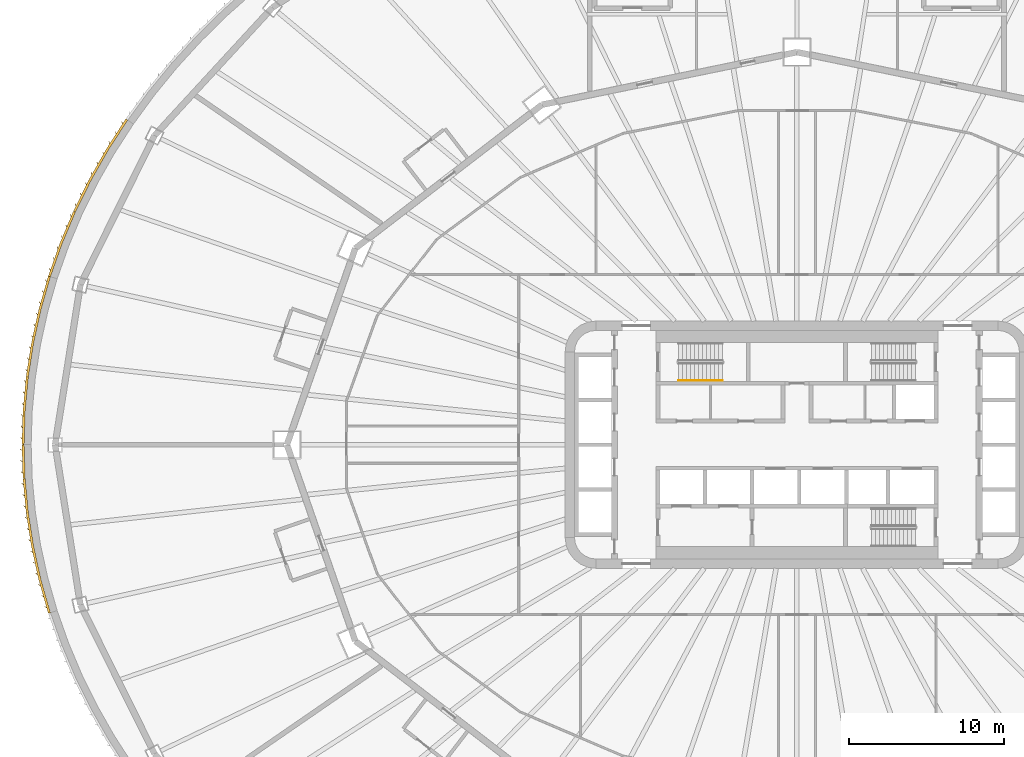
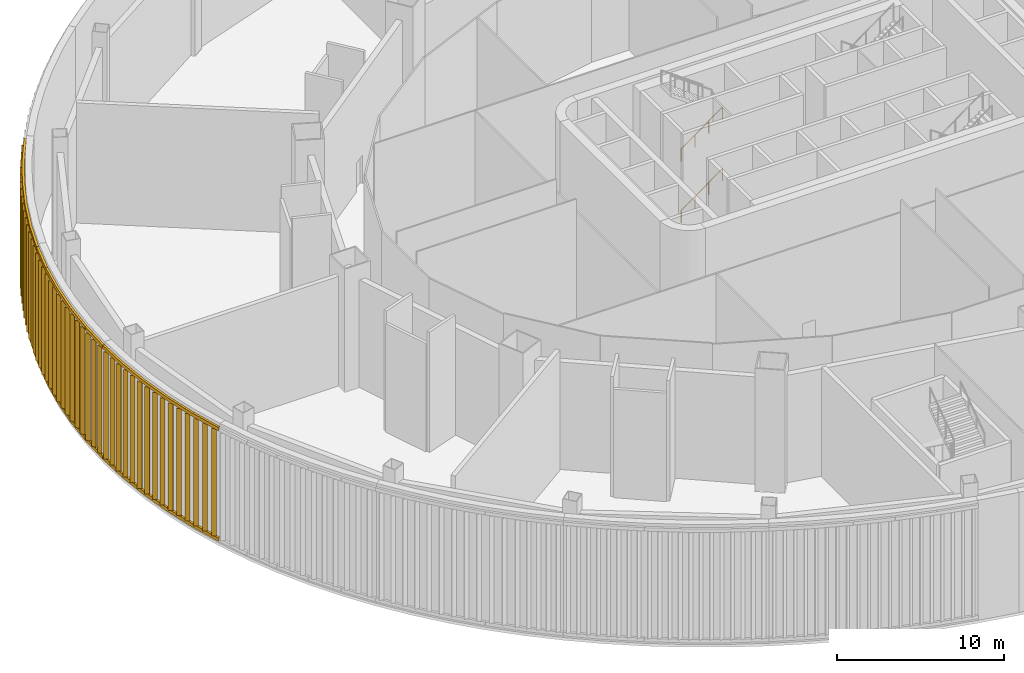
# One storey, part 29 of 35: 3 shading devices, 2 railings.
"""IFC4 building model written with IfcOpenShell, lengths in metres."""

from ifc_helpers import new_model, si_unit, direction, frame, origin, origin_2d, place, context, subcontext, project, spatial, rectangle, circle, extrude, material, type_object, element, save


model = new_model("IFC4")

# Units and contexts
model_context = context("Model", 3, precision=1e-05, world=origin(), true_north=direction((0.0, 1.0)))
body_context = subcontext(model_context, "Body", "Model", "MODEL_VIEW")
ifc_project = project(units=[si_unit("LENGTHUNIT", "METRE"), si_unit("AREAUNIT", "SQUARE_METRE"), si_unit("VOLUMEUNIT", "CUBIC_METRE"), si_unit("PLANEANGLEUNIT", "RADIAN"), si_unit("MASSUNIT", "GRAM", prefix="KILO")], contexts=[model_context])

# Site, building, storey
site_placement = place(None, origin())
site = spatial("IfcSite", under=ifc_project, at=site_placement, CompositionType="ELEMENT")
building_placement = place(site_placement, origin())
building = spatial("IfcBuilding", under=site, at=building_placement, Name="Sahrelin Media Tower", CompositionType="ELEMENT")
storey_placement = place(building_placement, frame((0.0, 0.0, 8.0)))
storey = spatial("IfcBuildingStorey", under=building, at=storey_placement, Name="L01", CompositionType="ELEMENT", Elevation=8.0)

# Railings
ifc_material_1 = material(Name="Steel S355", Category="steel")
railing_type = type_object("IfcRailingType", Name="Stair handrail 900", PredefinedType="HANDRAIL", material=ifc_material_1)
for number, where, name in (
    (1, (-7.675048828125, 4.14990234375, 0.1875), "L01 ST1 stair handrail 1"),
    (2, (-7.675048828125, 4.14990234375, 4.6875), "L01 ST1 stair handrail 3"),
):
    element("IfcRailing", number, at=place(storey_placement, frame(where)), inside=storey, type_object=railing_type, Name=name, PredefinedType="HANDRAIL", context=body_context, shape_type="SweptSolid", body=[
        extrude(circle(Radius=0.02392578125, at=origin_2d()), frame((0.0, 0.0, 0.8759765625), z_axis=(0.811100754333, 0.0, 0.584906459462), x_axis=(0.0, 1.0, 0.0)), (0.0, 0.0, 1.0), 3.526123046875),
        extrude(circle(Radius=0.02099609375, at=origin_2d()), origin(), (0.0, 0.0, 1.0), 0.851806640625),
        extrude(circle(Radius=0.02099609375, at=origin_2d()), frame((0.953369140625, 0.0, 0.6875)), (0.0, 0.0, 1.0), 0.851806640625),
        extrude(circle(Radius=0.02099609375, at=origin_2d()), frame((1.90673828125, 0.0, 1.375)), (0.0, 0.0, 1.0), 0.851806640625),
        extrude(circle(Radius=0.02099609375, at=origin_2d()), frame((2.860107421875, 0.0, 2.0625)), (0.0, 0.0, 1.0), 0.851806640625),
    ])

# Shading devices
ifc_material_2 = material(Name="Champagne anodised aluminium 6063-T6", Category="aluminium")
shading_device_type = type_object("IfcShadingDeviceType", Name="Studio facade screen", PredefinedType="USERDEFINED", material=ifc_material_2)
shading_device_1_placement = place(storey_placement, frame((-43.30126953125, 21.0, 0.0), z_axis=(0.0, 0.0, 1.0), x_axis=(0.44228697484, 0.896873587462, 0.0)))
element("IfcShadingDevice", 3, at=shading_device_1_placement, inside=storey, type_object=shading_device_type, Name="L01:SCREEN:L01-P10", ObjectType="SCREEN", PredefinedType="USERDEFINED", context=body_context, shape_type="SweptSolid", body=[
    extrude(rectangle(XDim=0.14990234375, YDim=0.25, at=origin_2d()), frame((0.0087890625, 0.074462890625, 0.35009765625), z_axis=(-0.993314738525, 0.115437559871, 0.0), x_axis=(-0.115437559871, -0.993314738525, 0.0)), (0.0, 0.0, 1.0), 2.301025390625),
    extrude(rectangle(XDim=0.14990234375, YDim=0.25, at=origin_2d()), frame((0.0087890625, 0.074462890625, 8.449951171875), z_axis=(-0.993314738525, 0.115437559871, 0.0), x_axis=(-0.115437559871, -0.993314738525, 0.0)), (0.0, 0.0, 1.0), 2.301025390625),
    extrude(rectangle(XDim=0.300048828125, YDim=0.0400390625, at=origin_2d()), frame((-0.363525390625, 0.193359375, 0.47509765625), z_axis=(0.0, 0.0, 1.0), x_axis=(0.707106781187, 0.707106781187, 0.0)), (0.0, 0.0, 1.0), 7.849853515625),
    extrude(rectangle(XDim=0.300048828125, YDim=0.0400390625, at=origin_2d()), frame((-1.12548828125, 0.28173828125, 0.47509765625), z_axis=(0.0, 0.0, 1.0), x_axis=(0.707106781187, 0.707106781187, 0.0)), (0.0, 0.0, 1.0), 7.849853515625),
    extrude(rectangle(XDim=0.300048828125, YDim=0.0400390625, at=origin_2d()), frame((-1.88720703125, 0.370361328125, 0.47509765625), z_axis=(0.0, 0.0, 1.0), x_axis=(0.707106781187, 0.707106781187, 0.0)), (0.0, 0.0, 1.0), 7.849853515625),
    extrude(rectangle(XDim=0.14990234375, YDim=0.25, at=origin_2d()), frame((-2.28125, 0.340576171875, 0.35009765625), z_axis=(-0.998305220506, 0.058195246459, 0.0), x_axis=(-0.058195246459, -0.998305220506, 0.0)), (0.0, 0.0, 1.0), 2.2822265625),
    extrude(rectangle(XDim=0.14990234375, YDim=0.25, at=origin_2d()), frame((-2.28125, 0.340576171875, 8.449951171875), z_axis=(-0.998305220506, 0.058195246459, 0.0), x_axis=(-0.058195246459, -0.998305220506, 0.0)), (0.0, 0.0, 1.0), 2.2822265625),
    extrude(rectangle(XDim=0.300048828125, YDim=0.0400390625, at=origin_2d()), frame((-2.656494140625, 0.4375, 0.47509765625), z_axis=(0.0, 0.0, 1.0), x_axis=(0.707106781187, 0.707106781187, 0.0)), (0.0, 0.0, 1.0), 7.849853515625),
    extrude(rectangle(XDim=0.300048828125, YDim=0.0400390625, at=origin_2d()), frame((-3.416015625, 0.481689453125, 0.47509765625), z_axis=(0.0, 0.0, 1.0), x_axis=(0.707106781187, 0.707106781187, 0.0)), (0.0, 0.0, 1.0), 7.849853515625),
    extrude(rectangle(XDim=0.300048828125, YDim=0.0400390625, at=origin_2d()), frame((-4.175537109375, 0.526123046875, 0.47509765625), z_axis=(0.0, 0.0, 1.0), x_axis=(0.707106781187, 0.707106781187, 0.0)), (0.0, 0.0, 1.0), 7.849853515625),
    extrude(rectangle(XDim=0.14990234375, YDim=0.25, at=origin_2d()), frame((-4.56396484375, 0.4736328125, 0.35009765625), z_axis=(-1.0, 0.0, 0.0), x_axis=(0.0, -1.0, 0.0)), (0.0, 0.0, 1.0), 2.26513671875),
    extrude(rectangle(XDim=0.14990234375, YDim=0.25, at=origin_2d()), frame((-4.56396484375, 0.4736328125, 8.449951171875), z_axis=(-1.0, 0.0, 0.0), x_axis=(0.0, -1.0, 0.0)), (0.0, 0.0, 1.0), 2.26513671875),
    extrude(rectangle(XDim=0.300048828125, YDim=0.0400390625, at=origin_2d()), frame((-4.94140625, 0.548583984375, 0.47509765625), z_axis=(0.0, 0.0, 1.0), x_axis=(0.707106781187, 0.707106781187, 0.0)), (0.0, 0.0, 1.0), 7.849853515625),
    extrude(rectangle(XDim=0.300048828125, YDim=0.0400390625, at=origin_2d()), frame((-5.696533203125, 0.548583984375, 0.47509765625), z_axis=(0.0, 0.0, 1.0), x_axis=(0.707106781187, 0.707106781187, 0.0)), (0.0, 0.0, 1.0), 7.849853515625),
    extrude(rectangle(XDim=0.300048828125, YDim=0.0400390625, at=origin_2d()), frame((-6.451416015625, 0.548583984375, 0.47509765625), z_axis=(0.0, 0.0, 1.0), x_axis=(0.707106781187, 0.707106781187, 0.0)), (0.0, 0.0, 1.0), 7.849853515625),
    extrude(rectangle(XDim=0.14990234375, YDim=0.25, at=origin_2d()), frame((-6.83349609375, 0.473388671875, 0.35009765625), z_axis=(-0.998255232119, -0.059046520199, 0.0), x_axis=(0.059046520199, -0.998255232119, 0.0)), (0.0, 0.0, 1.0), 2.249267578125),
    extrude(rectangle(XDim=0.14990234375, YDim=0.25, at=origin_2d()), frame((-6.83349609375, 0.473388671875, 8.449951171875), z_axis=(-0.998255232119, -0.059046520199, 0.0), x_axis=(0.059046520199, -0.998255232119, 0.0)), (0.0, 0.0, 1.0), 2.249267578125),
    extrude(rectangle(XDim=0.300048828125, YDim=0.0400390625, at=origin_2d()), frame((-7.212158203125, 0.526123046875, 0.47509765625), z_axis=(0.0, 0.0, 1.0), x_axis=(0.707106781187, 0.707106781187, 0.0)), (0.0, 0.0, 1.0), 7.849853515625),
    extrude(rectangle(XDim=0.300048828125, YDim=0.0400390625, at=origin_2d()), frame((-7.960693359375, 0.481689453125, 0.47509765625), z_axis=(0.0, 0.0, 1.0), x_axis=(0.707106781187, 0.707106781187, 0.0)), (0.0, 0.0, 1.0), 7.849853515625),
    extrude(rectangle(XDim=0.300048828125, YDim=0.0400390625, at=origin_2d()), frame((-8.708984375, 0.4375, 0.47509765625), z_axis=(0.0, 0.0, 1.0), x_axis=(0.707106781187, 0.707106781187, 0.0)), (0.0, 0.0, 1.0), 7.849853515625),
    extrude(rectangle(XDim=0.14990234375, YDim=0.25, at=origin_2d()), frame((-9.08349609375, 0.340087890625, 0.35009765625), z_axis=(-0.992914515953, -0.118830820961, 0.0), x_axis=(0.118830820961, -0.992914515953, 0.0)), (0.0, 0.0, 1.0), 2.2353515625),
    extrude(rectangle(XDim=0.14990234375, YDim=0.25, at=origin_2d()), frame((-9.08349609375, 0.340087890625, 8.449951171875), z_axis=(-0.992914515953, -0.118830820961, 0.0), x_axis=(0.118830820961, -0.992914515953, 0.0)), (0.0, 0.0, 1.0), 2.2353515625),
    extrude(rectangle(XDim=0.300048828125, YDim=0.0400390625, at=origin_2d()), frame((-9.462158203125, 0.370361328125, 0.47509765625), z_axis=(0.0, 0.0, 1.0), x_axis=(0.707106781187, 0.707106781187, 0.0)), (0.0, 0.0, 1.0), 7.849853515625),
    extrude(rectangle(XDim=0.300048828125, YDim=0.0400390625, at=origin_2d()), frame((-10.2021484375, 0.28173828125, 0.47509765625), z_axis=(0.0, 0.0, 1.0), x_axis=(0.707106781187, 0.707106781187, 0.0)), (0.0, 0.0, 1.0), 7.849853515625),
    extrude(rectangle(XDim=0.300048828125, YDim=0.0400390625, at=origin_2d()), frame((-10.942138671875, 0.193115234375, 0.47509765625), z_axis=(0.0, 0.0, 1.0), x_axis=(0.707106781187, 0.707106781187, 0.0)), (0.0, 0.0, 1.0), 7.849853515625),
])
shading_device_2_placement = place(storey_placement, frame((-48.29638671875, 10.870361328125, 0.0), z_axis=(0.0, 0.0, 1.0), x_axis=(0.154807009046, 0.98794473021, 0.0)))
element("IfcShadingDevice", 4, at=shading_device_2_placement, inside=storey, type_object=shading_device_type, Name="L01:SCREEN:L01-P11", ObjectType="SCREEN", PredefinedType="USERDEFINED", context=body_context, shape_type="SweptSolid", body=[
    extrude(rectangle(XDim=0.14990234375, YDim=0.25, at=origin_2d()), frame((0.00927734375, 0.074462890625, 0.35009765625), z_axis=(-0.992452536992, 0.122629367679, 0.0), x_axis=(-0.122629367679, -0.992452536992, 0.0)), (0.0, 0.0, 1.0), 2.223876953125),
    extrude(rectangle(XDim=0.14990234375, YDim=0.25, at=origin_2d()), frame((0.00927734375, 0.074462890625, 8.449951171875), z_axis=(-0.992452536992, 0.122629367679, 0.0), x_axis=(-0.122629367679, -0.992452536992, 0.0)), (0.0, 0.0, 1.0), 2.223876953125),
    extrude(rectangle(XDim=0.300048828125, YDim=0.0400390625, at=origin_2d()), frame((-0.349365234375, 0.1943359375, 0.47509765625), z_axis=(0.0, 0.0, 1.0), x_axis=(0.707106781187, 0.707106781187, 0.0)), (0.0, 0.0, 1.0), 7.849853515625),
    extrude(rectangle(XDim=0.300048828125, YDim=0.0400390625, at=origin_2d()), frame((-1.085205078125, 0.28515625, 0.47509765625), z_axis=(0.0, 0.0, 1.0), x_axis=(0.707106781187, 0.707106781187, 0.0)), (0.0, 0.0, 1.0), 7.849853515625),
    extrude(rectangle(XDim=0.300048828125, YDim=0.0400390625, at=origin_2d()), frame((-1.82080078125, 0.376220703125, 0.47509765625), z_axis=(0.0, 0.0, 1.0), x_axis=(0.707106781187, 0.707106781187, 0.0)), (0.0, 0.0, 1.0), 7.849853515625),
    extrude(rectangle(XDim=0.14990234375, YDim=0.25, at=origin_2d()), frame((-2.202392578125, 0.347412109375, 0.35009765625), z_axis=(-0.998098220265, 0.061643675299, 0.0), x_axis=(-0.061643675299, -0.998098220265, 0.0)), (0.0, 0.0, 1.0), 2.2138671875),
    extrude(rectangle(XDim=0.14990234375, YDim=0.25, at=origin_2d()), frame((-2.202392578125, 0.347412109375, 8.449951171875), z_axis=(-0.998098220265, 0.061643675299, 0.0), x_axis=(-0.061643675299, -0.998098220265, 0.0)), (0.0, 0.0, 1.0), 2.2138671875),
    extrude(rectangle(XDim=0.300048828125, YDim=0.0400390625, at=origin_2d()), frame((-2.56591796875, 0.445068359375, 0.47509765625), z_axis=(0.0, 0.0, 1.0), x_axis=(0.707106781187, 0.707106781187, 0.0)), (0.0, 0.0, 1.0), 7.849853515625),
    extrude(rectangle(XDim=0.300048828125, YDim=0.0400390625, at=origin_2d()), frame((-3.302490234375, 0.490478515625, 0.47509765625), z_axis=(0.0, 0.0, 1.0), x_axis=(0.707106781187, 0.707106781187, 0.0)), (0.0, 0.0, 1.0), 7.849853515625),
    extrude(rectangle(XDim=0.300048828125, YDim=0.0400390625, at=origin_2d()), frame((-4.039306640625, 0.5361328125, 0.47509765625), z_axis=(0.0, 0.0, 1.0), x_axis=(0.707106781187, 0.707106781187, 0.0)), (0.0, 0.0, 1.0), 7.849853515625),
    extrude(rectangle(XDim=0.14990234375, YDim=0.25, at=origin_2d()), frame((-4.416748046875, 0.484130859375, 0.35009765625), z_axis=(-1.0, 0.0, 0.0), x_axis=(0.0, -1.0, 0.0)), (0.0, 0.0, 1.0), 2.20654296875),
    extrude(rectangle(XDim=0.14990234375, YDim=0.25, at=origin_2d()), frame((-4.416748046875, 0.484130859375, 8.449951171875), z_axis=(-1.0, 0.0, 0.0), x_axis=(0.0, -1.0, 0.0)), (0.0, 0.0, 1.0), 2.20654296875),
    extrude(rectangle(XDim=0.300048828125, YDim=0.0400390625, at=origin_2d()), frame((-4.78466796875, 0.55908203125, 0.47509765625), z_axis=(0.0, 0.0, 1.0), x_axis=(0.707106781187, 0.707106781187, 0.0)), (0.0, 0.0, 1.0), 7.849853515625),
    extrude(rectangle(XDim=0.300048828125, YDim=0.0400390625, at=origin_2d()), frame((-5.52001953125, 0.55908203125, 0.47509765625), z_axis=(0.0, 0.0, 1.0), x_axis=(0.707106781187, 0.707106781187, 0.0)), (0.0, 0.0, 1.0), 7.849853515625),
    extrude(rectangle(XDim=0.300048828125, YDim=0.0400390625, at=origin_2d()), frame((-6.255615234375, 0.55908203125, 0.47509765625), z_axis=(0.0, 0.0, 1.0), x_axis=(0.707106781187, 0.707106781187, 0.0)), (0.0, 0.0, 1.0), 7.849853515625),
    extrude(rectangle(XDim=0.14990234375, YDim=0.25, at=origin_2d()), frame((-6.628173828125, 0.48388671875, 0.35009765625), z_axis=(-0.998077094115, -0.061984790091, 0.0), x_axis=(0.061984790091, -0.998077094115, 0.0)), (0.0, 0.0, 1.0), 2.20166015625),
    extrude(rectangle(XDim=0.14990234375, YDim=0.25, at=origin_2d()), frame((-6.628173828125, 0.48388671875, 8.449951171875), z_axis=(-0.998077094115, -0.061984790091, 0.0), x_axis=(0.061984790091, -0.998077094115, 0.0)), (0.0, 0.0, 1.0), 2.20166015625),
    extrude(rectangle(XDim=0.300048828125, YDim=0.0400390625, at=origin_2d()), frame((-6.9990234375, 0.5361328125, 0.47509765625), z_axis=(0.0, 0.0, 1.0), x_axis=(0.707106781187, 0.707106781187, 0.0)), (0.0, 0.0, 1.0), 7.849853515625),
    extrude(rectangle(XDim=0.300048828125, YDim=0.0400390625, at=origin_2d()), frame((-7.7314453125, 0.490478515625, 0.47509765625), z_axis=(0.0, 0.0, 1.0), x_axis=(0.707106781187, 0.707106781187, 0.0)), (0.0, 0.0, 1.0), 7.849853515625),
    extrude(rectangle(XDim=0.300048828125, YDim=0.0400390625, at=origin_2d()), frame((-8.464111328125, 0.445068359375, 0.47509765625), z_axis=(0.0, 0.0, 1.0), x_axis=(0.707106781187, 0.707106781187, 0.0)), (0.0, 0.0, 1.0), 7.849853515625),
    extrude(rectangle(XDim=0.14990234375, YDim=0.25, at=origin_2d()), frame((-8.830078125, 0.34716796875, 0.35009765625), z_axis=(-0.992282999223, -0.123993747638, 0.0), x_axis=(0.123993747638, -0.992282999223, 0.0)), (0.0, 0.0, 1.0), 2.199462890625),
    extrude(rectangle(XDim=0.14990234375, YDim=0.25, at=origin_2d()), frame((-8.830078125, 0.34716796875, 8.449951171875), z_axis=(-0.992282999223, -0.123993747638, 0.0), x_axis=(0.123993747638, -0.992282999223, 0.0)), (0.0, 0.0, 1.0), 2.199462890625),
    extrude(rectangle(XDim=0.300048828125, YDim=0.0400390625, at=origin_2d()), frame((-9.203125, 0.376220703125, 0.47509765625), z_axis=(0.0, 0.0, 1.0), x_axis=(0.707106781187, 0.707106781187, 0.0)), (0.0, 0.0, 1.0), 7.849853515625),
    extrude(rectangle(XDim=0.300048828125, YDim=0.0400390625, at=origin_2d()), frame((-9.9306640625, 0.28515625, 0.47509765625), z_axis=(0.0, 0.0, 1.0), x_axis=(0.707106781187, 0.707106781187, 0.0)), (0.0, 0.0, 1.0), 7.849853515625),
    extrude(rectangle(XDim=0.300048828125, YDim=0.0400390625, at=origin_2d()), frame((-10.657958984375, 0.1943359375, 0.47509765625), z_axis=(0.0, 0.0, 1.0), x_axis=(0.707106781187, 0.707106781187, 0.0)), (0.0, 0.0, 1.0), 7.849853515625),
])
shading_device_3_placement = place(storey_placement, frame((-50.0, 0.0, 0.0), z_axis=(0.0, 0.0, 1.0), x_axis=(-0.154807009046, 0.98794473021, 0.0)))
element("IfcShadingDevice", 5, at=shading_device_3_placement, inside=storey, type_object=shading_device_type, Name="L01:SCREEN:L01-P12", ObjectType="SCREEN", PredefinedType="USERDEFINED", context=body_context, shape_type="SweptSolid", body=[
    extrude(rectangle(XDim=0.14990234375, YDim=0.25, at=origin_2d()), frame((0.00927734375, 0.074462890625, 0.35009765625), z_axis=(-0.992281292284, 0.124007406968, 0.0), x_axis=(-0.124007406968, -0.992281292284, 0.0)), (0.0, 0.0, 1.0), 2.19921875),
    extrude(rectangle(XDim=0.14990234375, YDim=0.25, at=origin_2d()), frame((0.00927734375, 0.074462890625, 8.449951171875), z_axis=(-0.992281292284, 0.124007406968, 0.0), x_axis=(-0.124007406968, -0.992281292284, 0.0)), (0.0, 0.0, 1.0), 2.19921875),
    extrude(rectangle(XDim=0.300048828125, YDim=0.0400390625, at=origin_2d()), frame((-0.34521484375, 0.1943359375, 0.47509765625), z_axis=(0.0, 0.0, 1.0), x_axis=(0.707106781187, 0.707106781187, 0.0)), (0.0, 0.0, 1.0), 7.849853515625),
    extrude(rectangle(XDim=0.300048828125, YDim=0.0400390625, at=origin_2d()), frame((-1.072509765625, 0.28515625, 0.47509765625), z_axis=(0.0, 0.0, 1.0), x_axis=(0.707106781187, 0.707106781187, 0.0)), (0.0, 0.0, 1.0), 7.849853515625),
    extrude(rectangle(XDim=0.300048828125, YDim=0.0400390625, at=origin_2d()), frame((-1.7998046875, 0.376220703125, 0.47509765625), z_axis=(0.0, 0.0, 1.0), x_axis=(0.707106781187, 0.707106781187, 0.0)), (0.0, 0.0, 1.0), 7.849853515625),
    extrude(rectangle(XDim=0.14990234375, YDim=0.25, at=origin_2d()), frame((-2.177490234375, 0.347412109375, 0.35009765625), z_axis=(-0.998077094115, 0.061984790091, 0.0), x_axis=(-0.061984790091, -0.998077094115, 0.0)), (0.0, 0.0, 1.0), 2.20166015625),
    extrude(rectangle(XDim=0.14990234375, YDim=0.25, at=origin_2d()), frame((-2.177490234375, 0.347412109375, 8.449951171875), z_axis=(-0.998077094115, 0.061984790091, 0.0), x_axis=(-0.061984790091, -0.998077094115, 0.0)), (0.0, 0.0, 1.0), 2.20166015625),
    extrude(rectangle(XDim=0.300048828125, YDim=0.0400390625, at=origin_2d()), frame((-2.5390625, 0.445068359375, 0.47509765625), z_axis=(0.0, 0.0, 1.0), x_axis=(0.707106781187, 0.707106781187, 0.0)), (0.0, 0.0, 1.0), 7.849853515625),
    extrude(rectangle(XDim=0.300048828125, YDim=0.0400390625, at=origin_2d()), frame((-3.271484375, 0.490478515625, 0.47509765625), z_axis=(0.0, 0.0, 1.0), x_axis=(0.707106781187, 0.707106781187, 0.0)), (0.0, 0.0, 1.0), 7.849853515625),
    extrude(rectangle(XDim=0.300048828125, YDim=0.0400390625, at=origin_2d()), frame((-4.004150390625, 0.5361328125, 0.47509765625), z_axis=(0.0, 0.0, 1.0), x_axis=(0.707106781187, 0.707106781187, 0.0)), (0.0, 0.0, 1.0), 7.849853515625),
    extrude(rectangle(XDim=0.14990234375, YDim=0.25, at=origin_2d()), frame((-4.379638671875, 0.484130859375, 0.35009765625), z_axis=(-1.0, 0.0, 0.0), x_axis=(0.0, -1.0, 0.0)), (0.0, 0.0, 1.0), 2.20654296875),
    extrude(rectangle(XDim=0.14990234375, YDim=0.25, at=origin_2d()), frame((-4.379638671875, 0.484130859375, 8.449951171875), z_axis=(-1.0, 0.0, 0.0), x_axis=(0.0, -1.0, 0.0)), (0.0, 0.0, 1.0), 2.20654296875),
    extrude(rectangle(XDim=0.300048828125, YDim=0.0400390625, at=origin_2d()), frame((-4.747314453125, 0.55908203125, 0.47509765625), z_axis=(0.0, 0.0, 1.0), x_axis=(0.707106781187, 0.707106781187, 0.0)), (0.0, 0.0, 1.0), 7.849853515625),
    extrude(rectangle(XDim=0.300048828125, YDim=0.0400390625, at=origin_2d()), frame((-5.48291015625, 0.55908203125, 0.47509765625), z_axis=(0.0, 0.0, 1.0), x_axis=(0.707106781187, 0.707106781187, 0.0)), (0.0, 0.0, 1.0), 7.849853515625),
    extrude(rectangle(XDim=0.300048828125, YDim=0.0400390625, at=origin_2d()), frame((-6.218505859375, 0.55908203125, 0.47509765625), z_axis=(0.0, 0.0, 1.0), x_axis=(0.707106781187, 0.707106781187, 0.0)), (0.0, 0.0, 1.0), 7.849853515625),
    extrude(rectangle(XDim=0.14990234375, YDim=0.25, at=origin_2d()), frame((-6.5908203125, 0.48388671875, 0.35009765625), z_axis=(-0.998098639234, -0.061636891221, 0.0), x_axis=(0.061636891221, -0.998098639234, 0.0)), (0.0, 0.0, 1.0), 2.214111328125),
    extrude(rectangle(XDim=0.14990234375, YDim=0.25, at=origin_2d()), frame((-6.5908203125, 0.48388671875, 8.449951171875), z_axis=(-0.998098639234, -0.061636891221, 0.0), x_axis=(0.061636891221, -0.998098639234, 0.0)), (0.0, 0.0, 1.0), 2.214111328125),
    extrude(rectangle(XDim=0.300048828125, YDim=0.0400390625, at=origin_2d()), frame((-6.9638671875, 0.5361328125, 0.47509765625), z_axis=(0.0, 0.0, 1.0), x_axis=(0.707106781187, 0.707106781187, 0.0)), (0.0, 0.0, 1.0), 7.849853515625),
    extrude(rectangle(XDim=0.300048828125, YDim=0.0400390625, at=origin_2d()), frame((-7.700439453125, 0.490478515625, 0.47509765625), z_axis=(0.0, 0.0, 1.0), x_axis=(0.707106781187, 0.707106781187, 0.0)), (0.0, 0.0, 1.0), 7.849853515625),
    extrude(rectangle(XDim=0.300048828125, YDim=0.0400390625, at=origin_2d()), frame((-8.43701171875, 0.445068359375, 0.47509765625), z_axis=(0.0, 0.0, 1.0), x_axis=(0.707106781187, 0.707106781187, 0.0)), (0.0, 0.0, 1.0), 7.849853515625),
    extrude(rectangle(XDim=0.14990234375, YDim=0.25, at=origin_2d()), frame((-8.805419921875, 0.34716796875, 0.35009765625), z_axis=(-0.992450885786, -0.122642730327, 0.0), x_axis=(0.122642730327, -0.992450885786, 0.0)), (0.0, 0.0, 1.0), 2.2236328125),
    extrude(rectangle(XDim=0.14990234375, YDim=0.25, at=origin_2d()), frame((-8.805419921875, 0.34716796875, 8.449951171875), z_axis=(-0.992450885786, -0.122642730327, 0.0), x_axis=(0.122642730327, -0.992450885786, 0.0)), (0.0, 0.0, 1.0), 2.2236328125),
    extrude(rectangle(XDim=0.300048828125, YDim=0.0400390625, at=origin_2d()), frame((-9.182373046875, 0.376220703125, 0.47509765625), z_axis=(0.0, 0.0, 1.0), x_axis=(0.707106781187, 0.707106781187, 0.0)), (0.0, 0.0, 1.0), 7.849853515625),
    extrude(rectangle(XDim=0.300048828125, YDim=0.0400390625, at=origin_2d()), frame((-9.91796875, 0.28515625, 0.47509765625), z_axis=(0.0, 0.0, 1.0), x_axis=(0.707106781187, 0.707106781187, 0.0)), (0.0, 0.0, 1.0), 7.849853515625),
    extrude(rectangle(XDim=0.300048828125, YDim=0.0400390625, at=origin_2d()), frame((-10.65380859375, 0.1943359375, 0.47509765625), z_axis=(0.0, 0.0, 1.0), x_axis=(0.707106781187, 0.707106781187, 0.0)), (0.0, 0.0, 1.0), 7.849853515625),
])

save(model, "model.ifc")
